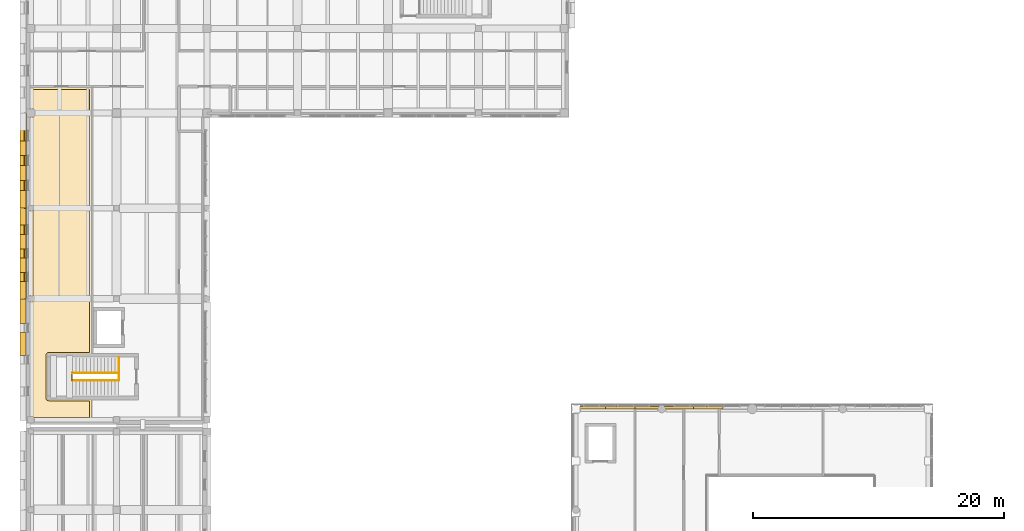
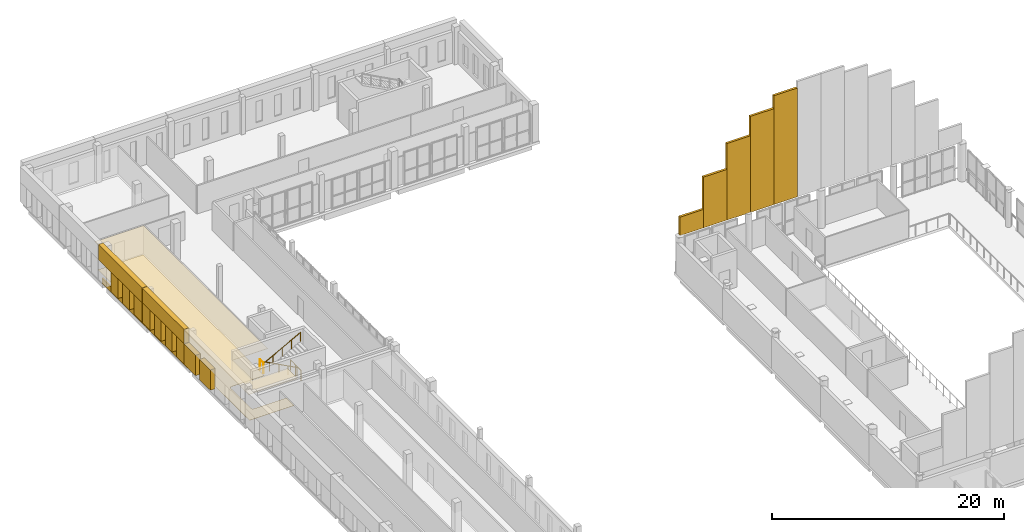
# One storey, part 71 of 76: 20 coverings, 4 railings.
"""IFC4 building model written with IfcOpenShell, lengths in metres."""

from ifc_helpers import new_model, si_unit, direction, frame, origin, origin_2d, place, context, subcontext, project, spatial, polyline, circle, outline, extrude, material, layer, layer_set, type_object, element, save


model = new_model("IFC4")

# Units and contexts
model_context = context("Model", 3, precision=1e-05, world=origin(), true_north=direction((0.0, 1.0)))
body_context = subcontext(model_context, "Body", "Model", "MODEL_VIEW")
ifc_project = project(units=[si_unit("LENGTHUNIT", "METRE"), si_unit("AREAUNIT", "SQUARE_METRE"), si_unit("VOLUMEUNIT", "CUBIC_METRE"), si_unit("PLANEANGLEUNIT", "RADIAN"), si_unit("MASSUNIT", "GRAM", prefix="KILO")], contexts=[model_context])

# Site, building, storey
site_placement = place(None, origin())
site = spatial("IfcSite", under=ifc_project, at=site_placement, CompositionType="ELEMENT")
building_placement = place(site_placement, origin())
building = spatial("IfcBuilding", under=site, at=building_placement, Name="Vardoun Plaza Health Centre", CompositionType="ELEMENT")
storey_placement = place(building_placement, frame((0.0, 0.0, 4.5)))
storey = spatial("IfcBuildingStorey", under=building, at=storey_placement, Name="L01", CompositionType="ELEMENT", Elevation=4.5)

# Coverings
ifc_material_1 = material(Name="Hygienic Acoustic Mineral-Fibre Ceiling", Category="concrete")
ifc_layer_1 = layer(ifc_material_1, 0.02490234375)
ifc_layer_set_1 = layer_set([ifc_layer_1], Name="Hygienic Acoustic Mineral-Fibre Ceiling")
covering_type_1 = type_object("IfcCoveringType", Name="CL-01", PredefinedType="CEILING", material=ifc_layer_set_1)
covering_1_placement = place(storey_placement, frame((0.0, 0.0, 2.89501953125)))
element("IfcCovering", 1, at=covering_1_placement, inside=storey, type_object=covering_type_1, Name="Adolescent Health Consulting Room Acoustic Ceiling", PredefinedType="CEILING", context=body_context, shape_type="SweptSolid", body=[
    extrude(outline(polyline([(4.860107421875, 103.570068359375), (9.75, 103.570068359375), (9.75, 82.2099609375), (6.300048828125, 82.2099609375), (6.299072265625, 82.2099609375), (6.298095703125, 82.209716796875), (6.297119140625, 82.209716796875), (6.296142578125, 82.209228515625), (6.29541015625, 82.208740234375), (6.29443359375, 82.208251953125), (6.293701171875, 82.207763671875), (6.29296875, 82.20703125), (6.292236328125, 82.206298828125), (6.291748046875, 82.20556640625), (6.291259765625, 82.20458984375), (6.290771484375, 82.203857421875), (6.290283203125, 82.202880859375), (6.290283203125, 82.201904296875), (6.2900390625, 82.200927734375), (6.2900390625, 82.199951171875), (6.2900390625, 78.800048828125), (6.2900390625, 78.799072265625), (6.290283203125, 78.798095703125), (6.290283203125, 78.797119140625), (6.290771484375, 78.796142578125), (6.291259765625, 78.79541015625), (6.291748046875, 78.79443359375), (6.292236328125, 78.793701171875), (6.29296875, 78.79296875), (6.293701171875, 78.792236328125), (6.29443359375, 78.791748046875), (6.29541015625, 78.791259765625), (6.296142578125, 78.790771484375), (6.297119140625, 78.790283203125), (6.298095703125, 78.790283203125), (6.299072265625, 78.7900390625), (6.300048828125, 78.7900390625), (9.75, 78.7900390625), (9.75, 77.0400390625), (4.860107421875, 77.0400390625), (4.860107421875, 103.570068359375)])), origin(), (0.0, 0.0, 1.0), 0.02490234375),
])
ifc_material_2 = material(Name="Pale Limestone Concrete C35/45", Category="masonry")
ifc_layer_2 = layer(ifc_material_2, 0.080078125)
ifc_layer_set_2 = layer_set([ifc_layer_2], Name="Pale Limestone Concrete C35/45")
covering_type_2 = type_object("IfcCoveringType", Name="CL-EXT1", PredefinedType="CLADDING", material=ifc_layer_set_2)
covering_2_placement = place(storey_placement, frame((0.0, 0.0, 0.550048828125)))
element("IfcCovering", 2, at=covering_2_placement, inside=storey, type_object=covering_type_2, Name="V3 L01 Deep-Punched Slot Concrete Reveal Pier 812", PredefinedType="CLADDING", context=body_context, shape_type="SweptSolid", body=[
    extrude(outline(polyline([(4.5, 82.1923828125), (4.5, 84.02587890625), (4.02001953125, 84.02587890625), (4.02001953125, 82.1923828125), (4.5, 82.1923828125)])), origin(), (0.0, 0.0, 1.0), 2.139892578125),
])
covering_3_placement = place(storey_placement, frame((0.0, 0.0, 0.550048828125)))
element("IfcCovering", 3, at=covering_3_placement, inside=storey, type_object=covering_type_2, Name="V3 L01 Deep-Punched Slot Concrete Reveal Pier 813", PredefinedType="CLADDING", context=body_context, shape_type="SweptSolid", body=[
    extrude(outline(polyline([(4.5, 84.7158203125), (4.5, 86.679931640625), (4.02001953125, 86.679931640625), (4.02001953125, 84.7158203125), (4.5, 84.7158203125)])), origin(), (0.0, 0.0, 1.0), 2.139892578125),
])
covering_4_placement = place(storey_placement, origin())
element("IfcCovering", 4, at=covering_4_placement, inside=storey, type_object=covering_type_2, Name="V3 L01 Pale Concrete Sill Band 814", PredefinedType="CLADDING", context=body_context, shape_type="SweptSolid", body=[
    extrude(outline(polyline([(4.5, 86.719970703125), (4.5, 93.8798828125), (4.360107421875, 93.8798828125), (4.360107421875, 86.719970703125), (4.5, 86.719970703125)])), origin(), (0.0, 0.0, 1.0), 0.550048828125),
])
covering_5_placement = place(storey_placement, frame((0.0, 0.0, 2.68994140625)))
element("IfcCovering", 5, at=covering_5_placement, inside=storey, type_object=covering_type_2, Name="V3 L01 Sculpted Concrete Eyebrow Hood 815", PredefinedType="CLADDING", context=body_context, shape_type="SweptSolid", body=[
    extrude(outline(polyline([(4.5, 86.719970703125), (4.5, 93.8798828125), (4.02001953125, 93.8798828125), (4.02001953125, 86.719970703125), (4.5, 86.719970703125)])), origin(), (0.0, 0.0, 1.0), 1.510009765625),
])
covering_6_placement = place(storey_placement, frame((0.0, 0.0, 0.550048828125)))
element("IfcCovering", 6, at=covering_6_placement, inside=storey, type_object=covering_type_2, Name="V3 L01 Deep-Punched Slot Concrete Reveal Pier 816", PredefinedType="CLADDING", context=body_context, shape_type="SweptSolid", body=[
    extrude(outline(polyline([(4.5, 86.719970703125), (4.5, 88.052978515625), (4.02001953125, 88.052978515625), (4.02001953125, 86.719970703125), (4.5, 86.719970703125)])), origin(), (0.0, 0.0, 1.0), 2.139892578125),
])
covering_7_placement = place(storey_placement, frame((0.0, 0.0, 0.550048828125)))
element("IfcCovering", 7, at=covering_7_placement, inside=storey, type_object=covering_type_2, Name="V3 L01 Deep-Punched Slot Concrete Reveal Pier 817", PredefinedType="CLADDING", context=body_context, shape_type="SweptSolid", body=[
    extrude(outline(polyline([(4.5, 88.802978515625), (4.5, 89.925048828125), (4.02001953125, 89.925048828125), (4.02001953125, 88.802978515625), (4.5, 88.802978515625)])), origin(), (0.0, 0.0, 1.0), 2.139892578125),
])
covering_8_placement = place(storey_placement, frame((0.0, 0.0, 0.550048828125)))
element("IfcCovering", 8, at=covering_8_placement, inside=storey, type_object=covering_type_2, Name="V3 L01 Deep-Punched Slot Concrete Reveal Pier 818", PredefinedType="CLADDING", context=body_context, shape_type="SweptSolid", body=[
    extrude(outline(polyline([(4.5, 90.675048828125), (4.5, 91.797119140625), (4.02001953125, 91.797119140625), (4.02001953125, 90.675048828125), (4.5, 90.675048828125)])), origin(), (0.0, 0.0, 1.0), 2.139892578125),
])
covering_9_placement = place(storey_placement, frame((0.0, 0.0, 0.550048828125)))
element("IfcCovering", 9, at=covering_9_placement, inside=storey, type_object=covering_type_2, Name="V3 L01 Deep-Punched Slot Concrete Reveal Pier 819", PredefinedType="CLADDING", context=body_context, shape_type="SweptSolid", body=[
    extrude(outline(polyline([(4.5, 92.547119140625), (4.5, 93.8798828125), (4.02001953125, 93.8798828125), (4.02001953125, 92.547119140625), (4.5, 92.547119140625)])), origin(), (0.0, 0.0, 1.0), 2.139892578125),
])
covering_10_placement = place(storey_placement, origin())
element("IfcCovering", 10, at=covering_10_placement, inside=storey, type_object=covering_type_2, Name="V3 L01 Pale Concrete Sill Band 820", PredefinedType="CLADDING", context=body_context, shape_type="SweptSolid", body=[
    extrude(outline(polyline([(4.5, 93.919921875), (4.5, 101.4599609375), (4.360107421875, 101.4599609375), (4.360107421875, 93.919921875), (4.5, 93.919921875)])), origin(), (0.0, 0.0, 1.0), 0.550048828125),
])
covering_11_placement = place(storey_placement, frame((0.0, 0.0, 2.610107421875)))
element("IfcCovering", 11, at=covering_11_placement, inside=storey, type_object=covering_type_2, Name="V3 L01 Sculpted Concrete Eyebrow Hood 821", PredefinedType="CLADDING", context=body_context, shape_type="SweptSolid", body=[
    extrude(outline(polyline([(4.5, 93.919921875), (4.5, 101.4599609375), (4.02001953125, 101.4599609375), (4.02001953125, 93.919921875), (4.5, 93.919921875)])), origin(), (0.0, 0.0, 1.0), 1.58984375),
])
covering_12_placement = place(storey_placement, frame((0.0, 0.0, 0.550048828125)))
element("IfcCovering", 12, at=covering_12_placement, inside=storey, type_object=covering_type_2, Name="V3 L01 Deep-Punched Slot Concrete Reveal Pier 822", PredefinedType="CLADDING", context=body_context, shape_type="SweptSolid", body=[
    extrude(outline(polyline([(4.5, 93.919921875), (4.5, 95.314208984375), (4.02001953125, 95.314208984375), (4.02001953125, 93.919921875), (4.5, 93.919921875)])), origin(), (0.0, 0.0, 1.0), 2.06005859375),
])
covering_13_placement = place(storey_placement, frame((0.0, 0.0, 0.550048828125)))
element("IfcCovering", 13, at=covering_13_placement, inside=storey, type_object=covering_type_2, Name="V3 L01 Deep-Punched Slot Concrete Reveal Pier 823", PredefinedType="CLADDING", context=body_context, shape_type="SweptSolid", body=[
    extrude(outline(polyline([(4.5, 96.124267578125), (4.5, 97.284912109375), (4.02001953125, 97.284912109375), (4.02001953125, 96.124267578125), (4.5, 96.124267578125)])), origin(), (0.0, 0.0, 1.0), 2.06005859375),
])
covering_14_placement = place(storey_placement, frame((0.0, 0.0, 0.550048828125)))
element("IfcCovering", 14, at=covering_14_placement, inside=storey, type_object=covering_type_2, Name="V3 L01 Deep-Punched Slot Concrete Reveal Pier 824", PredefinedType="CLADDING", context=body_context, shape_type="SweptSolid", body=[
    extrude(outline(polyline([(4.5, 98.094970703125), (4.5, 99.255859375), (4.02001953125, 99.255859375), (4.02001953125, 98.094970703125), (4.5, 98.094970703125)])), origin(), (0.0, 0.0, 1.0), 2.06005859375),
])
covering_15_placement = place(storey_placement, frame((0.0, 0.0, 3.89990234375)))
element("IfcCovering", 15, at=covering_15_placement, inside=storey, type_object=covering_type_2, Name="Sculpted Concrete Roof Gable Cladding V1-N.1", PredefinedType="CLADDING", context=body_context, shape_type="SweptSolid", body=[
    extrude(outline(polyline([(48.260009765625, 77.919921875), (50.5966796875, 77.919921875), (50.5966796875, 78.139892578125), (48.260009765625, 78.139892578125), (48.260009765625, 77.919921875)])), origin(), (0.0, 0.0, 1.0), 1.94873046875),
])
covering_16_placement = place(storey_placement, frame((0.0, 0.0, 3.89990234375)))
element("IfcCovering", 16, at=covering_16_placement, inside=storey, type_object=covering_type_2, Name="Sculpted Concrete Roof Gable Cladding V1-N.2", PredefinedType="CLADDING", context=body_context, shape_type="SweptSolid", body=[
    extrude(outline(polyline([(50.5966796875, 77.919921875), (52.933349609375, 77.919921875), (52.933349609375, 78.139892578125), (50.5966796875, 78.139892578125), (50.5966796875, 77.919921875)])), origin(), (0.0, 0.0, 1.0), 5.337646484375),
])
covering_17_placement = place(storey_placement, frame((0.0, 0.0, 3.89990234375)))
element("IfcCovering", 17, at=covering_17_placement, inside=storey, type_object=covering_type_2, Name="Sculpted Concrete Roof Gable Cladding V1-N.3", PredefinedType="CLADDING", context=body_context, shape_type="SweptSolid", body=[
    extrude(outline(polyline([(52.933349609375, 77.919921875), (55.27001953125, 77.919921875), (55.27001953125, 78.139892578125), (52.933349609375, 78.139892578125), (52.933349609375, 77.919921875)])), origin(), (0.0, 0.0, 1.0), 8.048583984375),
])
covering_18_placement = place(storey_placement, frame((0.0, 0.0, 3.89990234375)))
element("IfcCovering", 18, at=covering_18_placement, inside=storey, type_object=covering_type_2, Name="Sculpted Concrete Roof Gable Cladding V1-N.4", PredefinedType="CLADDING", context=body_context, shape_type="SweptSolid", body=[
    extrude(outline(polyline([(55.27001953125, 77.919921875), (57.606689453125, 77.919921875), (57.606689453125, 78.139892578125), (55.27001953125, 78.139892578125), (55.27001953125, 77.919921875)])), origin(), (0.0, 0.0, 1.0), 10.08203125),
])
covering_19_placement = place(storey_placement, frame((0.0, 0.0, 3.89990234375)))
element("IfcCovering", 19, at=covering_19_placement, inside=storey, type_object=covering_type_2, Name="Sculpted Concrete Roof Gable Cladding V1-N.5", PredefinedType="CLADDING", context=body_context, shape_type="SweptSolid", body=[
    extrude(outline(polyline([(57.606689453125, 77.919921875), (59.943359375, 77.919921875), (59.943359375, 78.139892578125), (57.606689453125, 78.139892578125), (57.606689453125, 77.919921875)])), origin(), (0.0, 0.0, 1.0), 11.4375),
])
ifc_material_3 = material(Name="Seamless Conductive Clinical Vinyl Flooring", Category="concrete")
ifc_layer_3 = layer(ifc_material_3, 0.014892578125)
ifc_layer_set_3 = layer_set([ifc_layer_3], Name="Seamless Conductive Clinical Vinyl Flooring")
covering_type_3 = type_object("IfcCoveringType", Name="FL-01", PredefinedType="FLOORING", material=ifc_layer_set_3)
covering_20_placement = place(storey_placement, origin())
element("IfcCovering", 20, at=covering_20_placement, inside=storey, type_object=covering_type_3, Name="Adolescent Health Consulting Room Floor Finish", PredefinedType="FLOORING", context=body_context, shape_type="SweptSolid", body=[
    extrude(outline(polyline([(5.070068359375, 103.360107421875), (9.5400390625, 103.360107421875), (9.5400390625, 82.419921875), (6.300048828125, 82.419921875), (6.2783203125, 82.4189453125), (6.257080078125, 82.415771484375), (6.236083984375, 82.410400390625), (6.2158203125, 82.4033203125), (6.1962890625, 82.39404296875), (6.177734375, 82.3828125), (6.160400390625, 82.3701171875), (6.144287109375, 82.355712890625), (6.1298828125, 82.339599609375), (6.1171875, 82.322265625), (6.10595703125, 82.3037109375), (6.0966796875, 82.2841796875), (6.089599609375, 82.263916015625), (6.084228515625, 82.242919921875), (6.0810546875, 82.2216796875), (6.080078125, 82.199951171875), (6.080078125, 78.800048828125), (6.0810546875, 78.7783203125), (6.084228515625, 78.757080078125), (6.089599609375, 78.736083984375), (6.0966796875, 78.7158203125), (6.10595703125, 78.6962890625), (6.1171875, 78.677734375), (6.1298828125, 78.660400390625), (6.144287109375, 78.644287109375), (6.160400390625, 78.6298828125), (6.177734375, 78.6171875), (6.1962890625, 78.60595703125), (6.2158203125, 78.5966796875), (6.236083984375, 78.589599609375), (6.257080078125, 78.584228515625), (6.2783203125, 78.5810546875), (6.300048828125, 78.580078125), (9.5400390625, 78.580078125), (9.5400390625, 77.25), (5.070068359375, 77.25), (5.070068359375, 103.360107421875)])), origin(), (0.0, 0.0, 1.0), 0.014892578125),
])

# Railings
ifc_material_4 = material(Name="Painted Steel S275JR Stair-Well Guardrail", Category="steel")
railing_type_1 = type_object("IfcRailingType", Name="GR-04", PredefinedType="GUARDRAIL", material=ifc_material_4)
railing_1_placement = place(storey_placement, frame((11.889892578125, 80.205078125, 0.0)))
element("IfcRailing", 21, at=railing_1_placement, inside=storey, type_object=railing_type_1, Name="Stair ST-C3-L00 Upper Landing Well Guard", PredefinedType="GUARDRAIL", context=body_context, shape_type="SweptSolid", body=[
    extrude(circle(Radius=0.02392578125, at=origin_2d()), frame((0.0, 0.0, 1.09619140625), z_axis=(0.0, 1.0, 0.0), x_axis=(-1.0, 0.0, 0.0)), (0.0, 0.0, 1.0), 1.81494140625),
    extrude(circle(Radius=0.02099609375, at=origin_2d()), origin(), (0.0, 0.0, 1.0), 1.072021484375),
    extrude(circle(Radius=0.02099609375, at=origin_2d()), frame((0.0, 0.907470703125, 0.0)), (0.0, 0.0, 1.0), 1.072021484375),
    extrude(circle(Radius=0.02099609375, at=origin_2d()), frame((0.0, 1.81494140625, 0.0)), (0.0, 0.0, 1.0), 1.072021484375),
])
railing_2_placement = place(storey_placement, frame((8.169921875, 80.205078125, 2.10009765625)))
element("IfcRailing", 22, at=railing_2_placement, inside=storey, type_object=railing_type_1, Name="Stair ST-C3-L01 Mid-Landing Well Guard", PredefinedType="GUARDRAIL", context=body_context, shape_type="SweptSolid", body=[
    extrude(circle(Radius=0.02392578125, at=origin_2d()), frame((0.0, 0.0, 1.09619140625), z_axis=(0.0, 1.0, 0.0), x_axis=(-1.0, 0.0, 0.0)), (0.0, 0.0, 1.0), 0.58984375),
    extrude(circle(Radius=0.02099609375, at=origin_2d()), origin(), (0.0, 0.0, 1.0), 1.072021484375),
    extrude(circle(Radius=0.02099609375, at=origin_2d()), frame((0.0, 0.58984375, 0.0)), (0.0, 0.0, 1.0), 1.072021484375),
])
ifc_material_5 = material(Name="Brushed Stainless Steel Grade 316L", Category="steel")
railing_type_2 = type_object("IfcRailingType", Name="HR-01", PredefinedType="HANDRAIL", material=ifc_material_5)
railing_3_placement = place(storey_placement, frame((11.85009765625, 80.794921875, 0.14990234375)))
element("IfcRailing", 23, at=railing_3_placement, inside=storey, type_object=railing_type_2, Name="Stair ST-C3-L01 Flight 1 Handrail", PredefinedType="HANDRAIL", context=body_context, shape_type="SweptSolid", body=[
    extrude(circle(Radius=0.02392578125, at=origin_2d()), frame((0.0, 0.0, 0.89599609375), z_axis=(-0.881467665431, 0.0, 0.47224438038), x_axis=(0.0, -1.0, 0.0)), (0.0, 0.0, 1.0), 4.129638671875),
    extrude(circle(Radius=0.02099609375, at=origin_2d()), origin(), (0.0, 0.0, 1.0), 0.871826171875),
    extrude(circle(Radius=0.02099609375, at=origin_2d()), frame((-0.91015625, 0.0, 0.487548828125)), (0.0, 0.0, 1.0), 0.871826171875),
    extrude(circle(Radius=0.02099609375, at=origin_2d()), frame((-1.820068359375, 0.0, 0.97509765625)), (0.0, 0.0, 1.0), 0.871826171875),
    extrude(circle(Radius=0.02099609375, at=origin_2d()), frame((-2.72998046875, 0.0, 1.462646484375)), (0.0, 0.0, 1.0), 0.871826171875),
    extrude(circle(Radius=0.02099609375, at=origin_2d()), frame((-3.64013671875, 0.0, 1.9501953125)), (0.0, 0.0, 1.0), 0.871826171875),
])
railing_4_placement = place(storey_placement, frame((8.2099609375, 80.205078125, 2.25)))
element("IfcRailing", 24, at=railing_4_placement, inside=storey, type_object=railing_type_2, Name="Stair ST-C3-L01 Flight 2 Handrail", PredefinedType="HANDRAIL", context=body_context, shape_type="SweptSolid", body=[
    extrude(circle(Radius=0.02392578125, at=origin_2d()), frame((0.0, 0.0, 0.89599609375), z_axis=(0.881492274372, 0.0, 0.472198443689), x_axis=(0.0, 1.0, 0.0)), (0.0, 0.0, 1.0), 4.12939453125),
    extrude(circle(Radius=0.02099609375, at=origin_2d()), origin(), (0.0, 0.0, 1.0), 0.871826171875),
    extrude(circle(Radius=0.02099609375, at=origin_2d()), frame((0.91015625, 0.0, 0.487548828125)), (0.0, 0.0, 1.0), 0.871826171875),
    extrude(circle(Radius=0.02099609375, at=origin_2d()), frame((1.820068359375, 0.0, 0.97509765625)), (0.0, 0.0, 1.0), 0.871826171875),
    extrude(circle(Radius=0.02099609375, at=origin_2d()), frame((2.72998046875, 0.0, 1.46240234375)), (0.0, 0.0, 1.0), 0.871826171875),
    extrude(circle(Radius=0.02099609375, at=origin_2d()), frame((3.64013671875, 0.0, 1.949951171875)), (0.0, 0.0, 1.0), 0.871826171875),
])

save(model, "model.ifc")
